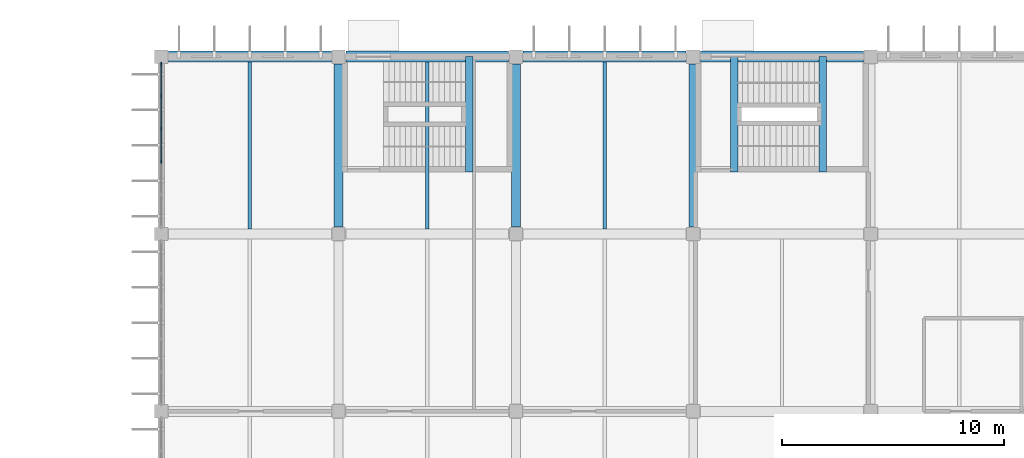
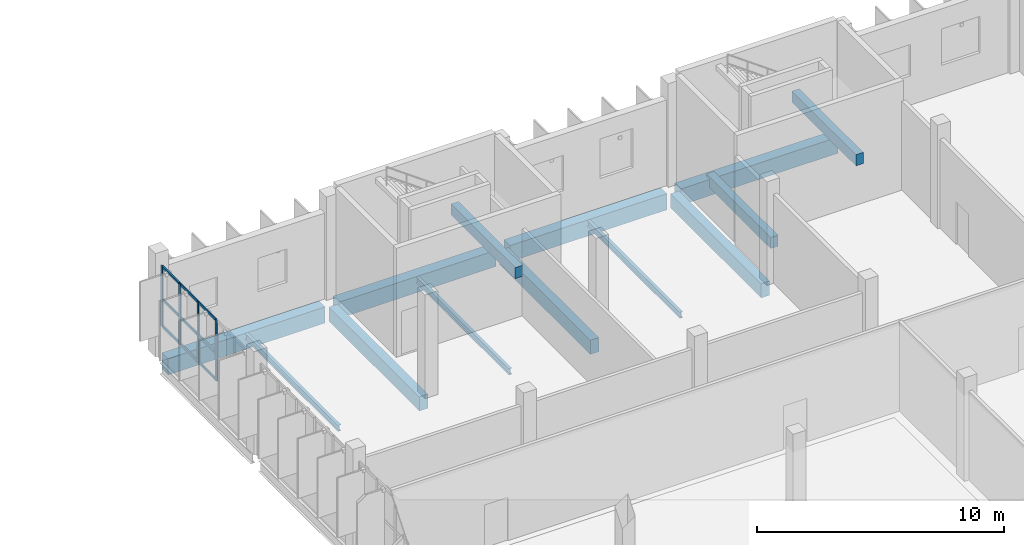
# One storey, part 39 of 103: 13 beams, 13 members, 1 element without a shape of its own.
"""IFC4 building model written with IfcOpenShell, lengths in metres."""

from ifc_helpers import new_model, si_unit, direction, frame, origin, origin_2d, place, context, subcontext, project, spatial, rectangle, i_section, extrude, material, layer, layer_set, material_profile, profile_set, type_object, element, aggregate, save


model = new_model("IFC4")

# Units and contexts
model_context = context("Model", 3, precision=1e-05, world=origin(), true_north=direction((0.0, 1.0)))
body_context = subcontext(model_context, "Body", "Model", "MODEL_VIEW")
ifc_project = project(units=[si_unit("LENGTHUNIT", "METRE"), si_unit("AREAUNIT", "SQUARE_METRE"), si_unit("VOLUMEUNIT", "CUBIC_METRE"), si_unit("PLANEANGLEUNIT", "RADIAN"), si_unit("MASSUNIT", "GRAM", prefix="KILO")], contexts=[model_context])

# Site, building, storey
site_placement = place(None, origin())
site = spatial("IfcSite", under=ifc_project, at=site_placement, CompositionType="ELEMENT")
building_placement = place(site_placement, origin())
building = spatial("IfcBuilding", under=site, at=building_placement, Name="Drelvana Railside Aquatics Centre", CompositionType="ELEMENT")
storey_placement = place(building_placement, origin())
storey = spatial("IfcBuildingStorey", under=building, at=storey_placement, Name="L00", CompositionType="ELEMENT", Elevation=0.0)

# Curtain wall, members
ifc_material_1 = material(Name="Bronze-anodised aluminium curtain wall", Category="aluminium")
ifc_layer = layer(ifc_material_1, 0.1650390625, Name="Bronze-anodised aluminium curtain wall")
ifc_layer_set = layer_set([ifc_layer], Name="Bronze-anodised aluminium curtain wall")
curtain_wall_type = type_object("IfcCurtainWallType", Name="CW-Z5-COURT", PredefinedType="NOTDEFINED", material=ifc_layer_set)
curtain_wall_placement = place(storey_placement, origin())
curtain_wall = element("IfcCurtainWall", 1, at=curtain_wall_placement, inside=storey, type_object=curtain_wall_type, Name="Curtain wall CW-05-133", PredefinedType="NOTDEFINED")
ifc_material_2 = material(Name="Bronze-anodised aluminium 6063-T6", Category="aluminium")
ifc_material_profile_1 = material_profile(ifc_material_2, rectangle(XDim=0.06005859375, YDim=0.14990234375, at=origin_2d()), Name="ALU-M 60x150")
ifc_profile_set_1 = profile_set([ifc_material_profile_1], Name="Bronze-anodised aluminium 6063-T6")
member_type_1 = type_object("IfcMemberType", Name="CW-Z5-COURT-MUL", PredefinedType="MULLION", material=ifc_profile_set_1)
member_1_placement = place(storey_placement, frame((96.0, 111.2587890625, 1.444091796875), z_axis=(0.0, 0.0, 1.0), x_axis=(-1.0, 0.0, 0.0)))
member_1 = element("IfcMember", 2, at=member_1_placement, type_object=member_type_1, Name="CW-05 mullion 3", PredefinedType="MULLION", context=body_context, shape_type="SweptSolid", body=[
    extrude(rectangle(XDim=0.06005859375, YDim=0.14990234375, at=origin_2d()), origin(), (0.0, 0.0, 1.0), 3.005859375),
])
member_2_placement = place(storey_placement, frame((96.0, 112.7412109375, 1.444091796875), z_axis=(0.0, 0.0, 1.0), x_axis=(-1.0, 0.0, 0.0)))
member_2 = element("IfcMember", 3, at=member_2_placement, type_object=member_type_1, Name="CW-05 mullion 4", PredefinedType="MULLION", context=body_context, shape_type="SweptSolid", body=[
    extrude(rectangle(XDim=0.06005859375, YDim=0.14990234375, at=origin_2d()), origin(), (0.0, 0.0, 1.0), 3.005859375),
])
member_3_placement = place(storey_placement, frame((96.0, 114.2236328125, 1.444091796875), z_axis=(0.0, 0.0, 1.0), x_axis=(-1.0, 0.0, 0.0)))
member_3 = element("IfcMember", 4, at=member_3_placement, type_object=member_type_1, Name="CW-05 mullion 5", PredefinedType="MULLION", context=body_context, shape_type="SweptSolid", body=[
    extrude(rectangle(XDim=0.06005859375, YDim=0.14990234375, at=origin_2d()), origin(), (0.0, 0.0, 1.0), 3.005859375),
])
member_4_placement = place(storey_placement, frame((96.0, 115.676025390625, 1.444091796875), z_axis=(0.0, 0.0, 1.0), x_axis=(-1.0, 0.0, 0.0)))
member_4 = element("IfcMember", 5, at=member_4_placement, type_object=member_type_1, Name="CW-05 mullion 6", PredefinedType="MULLION", context=body_context, shape_type="SweptSolid", body=[
    extrude(rectangle(XDim=0.06005859375, YDim=0.14990234375, at=origin_2d()), origin(), (0.0, 0.0, 1.0), 3.005859375),
])
ifc_material_profile_2 = material_profile(ifc_material_2, rectangle(XDim=0.1201171875, YDim=0.06005859375, at=origin_2d()), Name="ALU-T 60x120")
ifc_profile_set_2 = profile_set([ifc_material_profile_2], Name="Bronze-anodised aluminium 6063-T6")
member_type_2 = type_object("IfcMemberType", Name="CW-Z5-COURT-TRN", PredefinedType="USERDEFINED", material=ifc_profile_set_2)
member_5_placement = place(storey_placement, frame((96.0, 111.28369140625, 1.47412109375), z_axis=(0.0, 1.0, 0.0), x_axis=(0.0, 0.0, 1.0)))
member_5 = element("IfcMember", 6, at=member_5_placement, type_object=member_type_2, Name="CW-05 transom 3.1", ObjectType="TRANSOM", PredefinedType="USERDEFINED", context=body_context, shape_type="SweptSolid", body=[
    extrude(rectangle(XDim=0.1201171875, YDim=0.06005859375, at=origin_2d()), origin(), (0.0, 0.0, 1.0), 1.4326171875),
])
member_6_placement = place(storey_placement, frame((96.0, 111.28369140625, 2.797119140625), z_axis=(0.0, 1.0, 0.0), x_axis=(0.0, 0.0, 1.0)))
member_6 = element("IfcMember", 7, at=member_6_placement, type_object=member_type_2, Name="CW-05 transom 3.2", ObjectType="TRANSOM", PredefinedType="USERDEFINED", context=body_context, shape_type="SweptSolid", body=[
    extrude(rectangle(XDim=0.1201171875, YDim=0.06005859375, at=origin_2d()), origin(), (0.0, 0.0, 1.0), 1.4326171875),
])
member_7_placement = place(storey_placement, frame((96.0, 111.28369140625, 4.419921875), z_axis=(0.0, 1.0, 0.0), x_axis=(0.0, 0.0, 1.0)))
member_7 = element("IfcMember", 8, at=member_7_placement, type_object=member_type_2, Name="CW-05 transom 3.3", ObjectType="TRANSOM", PredefinedType="USERDEFINED", context=body_context, shape_type="SweptSolid", body=[
    extrude(rectangle(XDim=0.1201171875, YDim=0.06005859375, at=origin_2d()), origin(), (0.0, 0.0, 1.0), 1.4326171875),
])
member_8_placement = place(storey_placement, frame((96.0, 112.76611328125, 1.47412109375), z_axis=(0.0, 1.0, 0.0), x_axis=(0.0, 0.0, 1.0)))
member_8 = element("IfcMember", 9, at=member_8_placement, type_object=member_type_2, Name="CW-05 transom 4.1", ObjectType="TRANSOM", PredefinedType="USERDEFINED", context=body_context, shape_type="SweptSolid", body=[
    extrude(rectangle(XDim=0.1201171875, YDim=0.06005859375, at=origin_2d()), origin(), (0.0, 0.0, 1.0), 1.432373046875),
])
member_9_placement = place(storey_placement, frame((96.0, 112.76611328125, 2.797119140625), z_axis=(0.0, 1.0, 0.0), x_axis=(0.0, 0.0, 1.0)))
member_9 = element("IfcMember", 10, at=member_9_placement, type_object=member_type_2, Name="CW-05 transom 4.2", ObjectType="TRANSOM", PredefinedType="USERDEFINED", context=body_context, shape_type="SweptSolid", body=[
    extrude(rectangle(XDim=0.1201171875, YDim=0.06005859375, at=origin_2d()), origin(), (0.0, 0.0, 1.0), 1.432373046875),
])
member_10_placement = place(storey_placement, frame((96.0, 112.76611328125, 4.419921875), z_axis=(0.0, 1.0, 0.0), x_axis=(0.0, 0.0, 1.0)))
member_10 = element("IfcMember", 11, at=member_10_placement, type_object=member_type_2, Name="CW-05 transom 4.3", ObjectType="TRANSOM", PredefinedType="USERDEFINED", context=body_context, shape_type="SweptSolid", body=[
    extrude(rectangle(XDim=0.1201171875, YDim=0.06005859375, at=origin_2d()), origin(), (0.0, 0.0, 1.0), 1.432373046875),
])
member_11_placement = place(storey_placement, frame((96.0, 114.24853515625, 1.47412109375), z_axis=(0.0, 1.0, 0.0), x_axis=(0.0, 0.0, 1.0)))
member_11 = element("IfcMember", 12, at=member_11_placement, type_object=member_type_2, Name="CW-05 transom 5.1", ObjectType="TRANSOM", PredefinedType="USERDEFINED", context=body_context, shape_type="SweptSolid", body=[
    extrude(rectangle(XDim=0.1201171875, YDim=0.06005859375, at=origin_2d()), origin(), (0.0, 0.0, 1.0), 1.40234375),
])
member_12_placement = place(storey_placement, frame((96.0, 114.24853515625, 2.797119140625), z_axis=(0.0, 1.0, 0.0), x_axis=(0.0, 0.0, 1.0)))
member_12 = element("IfcMember", 13, at=member_12_placement, type_object=member_type_2, Name="CW-05 transom 5.2", ObjectType="TRANSOM", PredefinedType="USERDEFINED", context=body_context, shape_type="SweptSolid", body=[
    extrude(rectangle(XDim=0.1201171875, YDim=0.06005859375, at=origin_2d()), origin(), (0.0, 0.0, 1.0), 1.40234375),
])
member_13_placement = place(storey_placement, frame((96.0, 114.24853515625, 4.419921875), z_axis=(0.0, 1.0, 0.0), x_axis=(0.0, 0.0, 1.0)))
member_13 = element("IfcMember", 14, at=member_13_placement, type_object=member_type_2, Name="CW-05 transom 5.3", ObjectType="TRANSOM", PredefinedType="USERDEFINED", context=body_context, shape_type="SweptSolid", body=[
    extrude(rectangle(XDim=0.1201171875, YDim=0.06005859375, at=origin_2d()), origin(), (0.0, 0.0, 1.0), 1.40234375),
])
aggregate(curtain_wall, [member_1, member_2, member_3, member_4, member_5, member_6, member_7, member_8, member_9, member_10, member_11, member_12, member_13])

# Beams
ifc_material_3 = material(Name="Concrete C40/50", Category="concrete")
ifc_material_profile_3 = material_profile(ifc_material_3, rectangle(XDim=0.35009765625, YDim=0.550048828125, at=origin_2d()), Name="RC 350x550")
ifc_profile_set_3 = profile_set([ifc_material_profile_3], Name="Concrete C40/50")
beam_type_1 = type_object("IfcBeamType", Name="STR-BM-BM-01-RC-350x550", PredefinedType="BEAM", material=ifc_profile_set_3)
for number, where, z_axis, x_axis, name in (
    (15, (121.85009765625, 110.800048828125, -0.47509765625), (0.0, 1.0, 0.0), (-1.0, 0.0, 0.0), "Stair ST-05 L00 landing beam"),
    (16, (125.840087890625, 110.800048828125, 2.22509765625), (0.0, 1.0, 0.0), (-1.0, 0.0, 0.0), "Stair ST-05 L00 mid-landing beam"),
    (17, (109.889892578125, 110.800048828125, 2.22509765625), (0.0, 1.0, 0.0), (-1.0, 0.0, 0.0), "Stair ST-11 L00 mid-landing beam"),
):
    element("IfcBeam", number, at=place(storey_placement, frame(where, z_axis=z_axis, x_axis=x_axis)), inside=storey, type_object=beam_type_1, Name=name, PredefinedType="BEAM", context=body_context, shape_type="SweptSolid", body=[
        extrude(rectangle(XDim=0.35009765625, YDim=0.550048828125, at=origin_2d()), origin(), (0.0, 0.0, 1.0), 5.199951171875),
    ])
ifc_material_profile_4 = material_profile(ifc_material_3, rectangle(XDim=0.39990234375, YDim=0.699951171875, at=origin_2d()), Name="RC 400x700")
ifc_profile_set_4 = profile_set([ifc_material_profile_4], Name="Concrete C40/50")
beam_type_2 = type_object("IfcBeamType", Name="STR-BM-BM-03-RC-400x700", PredefinedType="BEAM", material=ifc_profile_set_4)
for number, where, z_axis, x_axis, name in (
    (18, (104.0, 108.324951171875, -0.679931640625), (0.0, 1.0, 0.0), (-1.0, 0.0, 0.0), "Girder BM-03 (L00)"),
    (19, (112.0, 108.324951171875, -0.679931640625), (0.0, 1.0, 0.0), (-1.0, 0.0, 0.0), "Girder BM-03 (L00)"),
    (20, (120.0, 108.324951171875, -0.679931640625), (0.0, 1.0, 0.0), (-1.0, 0.0, 0.0), "Girder BM-03 (L00)"),
):
    element("IfcBeam", number, at=place(storey_placement, frame(where, z_axis=z_axis, x_axis=x_axis)), inside=storey, type_object=beam_type_2, Name=name, PredefinedType="BEAM", context=body_context, shape_type="SweptSolid", body=[
        extrude(rectangle(XDim=0.39990234375, YDim=0.699951171875, at=origin_2d()), origin(), (0.0, 0.0, 1.0), 7.35009765625),
    ])
ifc_material_profile_5 = material_profile(ifc_material_3, rectangle(XDim=0.5, YDim=0.800048828125, at=origin_2d()), Name="RC 500x800")
ifc_profile_set_5 = profile_set([ifc_material_profile_5], Name="Concrete C40/50")
beam_type_3 = type_object("IfcBeamType", Name="STR-BM-BM-06-RC-500x800", PredefinedType="SPANDREL", material=ifc_profile_set_5)
for number, where, z_axis, x_axis, name in (
    (21, (96.324951171875, 116.0, -0.72998046875), (1.0, 0.0, 0.0), (0.0, 1.0, 0.0), "Girder BM-06 (L00)"),
    (22, (104.324951171875, 116.0, -0.72998046875), (1.0, 0.0, 0.0), (0.0, 1.0, 0.0), "Girder BM-06 (L00)"),
    (23, (112.324951171875, 116.0, -0.72998046875), (1.0, 0.0, 0.0), (0.0, 1.0, 0.0), "Girder BM-06 (L00)"),
    (24, (120.324951171875, 116.0, -0.72998046875), (1.0, 0.0, 0.0), (0.0, 1.0, 0.0), "Girder BM-06 (L00)"),
):
    element("IfcBeam", number, at=place(storey_placement, frame(where, z_axis=z_axis, x_axis=x_axis)), inside=storey, type_object=beam_type_3, Name=name, PredefinedType="SPANDREL", context=body_context, shape_type="SweptSolid", body=[
        extrude(rectangle(XDim=0.5, YDim=0.800048828125, at=origin_2d()), origin(), (0.0, 0.0, 1.0), 7.35009765625),
    ])
ifc_material_4 = material(Name="Structural steel S355", Category="steel")
ifc_material_profile_6 = material_profile(ifc_material_4, i_section(OverallWidth=0.14990234375, OverallDepth=0.300048828125, WebThickness=0.007080078125, FlangeThickness=0.0107421875, at=origin_2d()), Name="IPE 300")
ifc_profile_set_6 = profile_set([ifc_material_profile_6], Name="Structural steel S355")
beam_type_4 = type_object("IfcBeamType", Name="STR-SBM-SJ-03-IPE-300", PredefinedType="JOIST", material=ifc_profile_set_6)
for number, where, z_axis, x_axis, name in (
    (25, (100.0, 108.22509765625, -0.47998046875), (0.0, 1.0, 0.0), (-1.0, 0.0, 0.0), "Secondary floor joist SJ-03 (L00)"),
    (26, (108.0, 108.22509765625, -0.47998046875), (0.0, 1.0, 0.0), (-1.0, 0.0, 0.0), "Secondary floor joist SJ-03 (L00)"),
    (27, (116.0, 108.22509765625, -0.47998046875), (0.0, 1.0, 0.0), (-1.0, 0.0, 0.0), "Secondary floor joist SJ-03 (L00)"),
):
    element("IfcBeam", number, at=place(storey_placement, frame(where, z_axis=z_axis, x_axis=x_axis)), inside=storey, type_object=beam_type_4, Name=name, PredefinedType="JOIST", context=body_context, shape_type="SweptSolid", body=[
        extrude(i_section(OverallWidth=0.14990234375, OverallDepth=0.300048828125, WebThickness=0.007080078125, FlangeThickness=0.0107421875, at=origin_2d()), origin(), (0.0, 0.0, 1.0), 7.52490234375),
    ])

save(model, "model.ifc")
